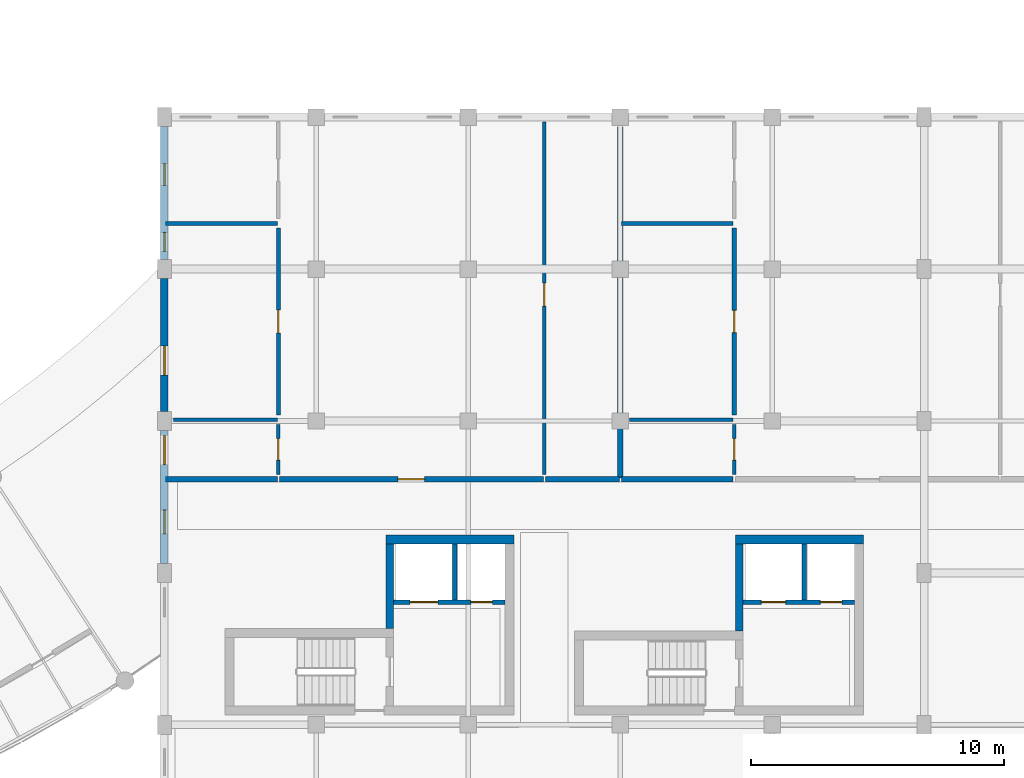
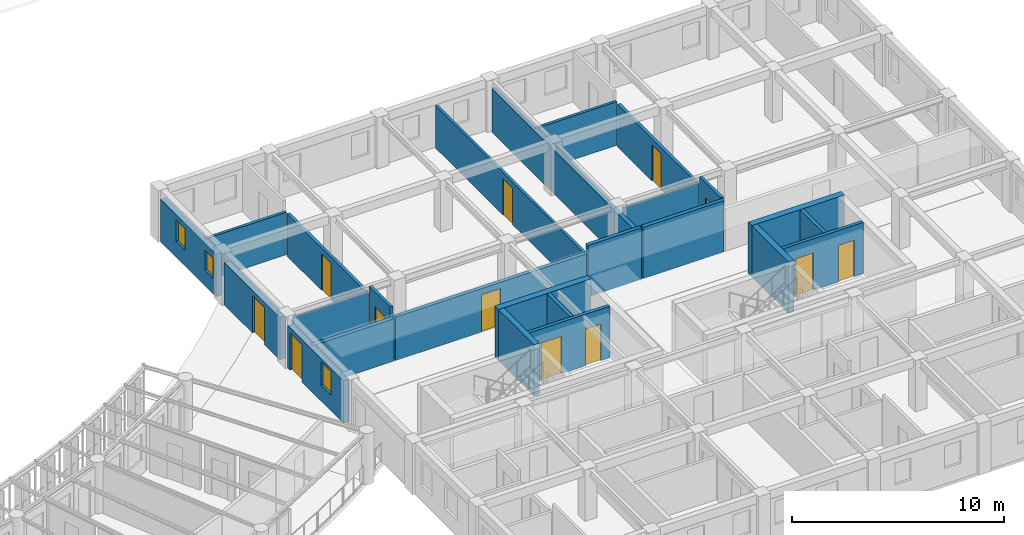
# One storey, part 65 of 100: 25 walls, 12 doors, 3 windows, 15 openings.
"""IFC4 building model written with IfcOpenShell, lengths in metres."""

from ifc_helpers import new_model, si_unit, direction, frame, frame_2d, origin, place, context, subcontext, project, spatial, rectangle, extrude, material, layer, layer_set, type_object, element, fill, save


model = new_model("IFC4")

# Units and contexts
model_context = context("Model", 3, precision=1e-05, world=origin(), true_north=direction((0.0, 1.0)))
body_context = subcontext(model_context, "Body", "Model", "MODEL_VIEW")
ifc_project = project(units=[si_unit("LENGTHUNIT", "METRE"), si_unit("AREAUNIT", "SQUARE_METRE"), si_unit("VOLUMEUNIT", "CUBIC_METRE"), si_unit("PLANEANGLEUNIT", "RADIAN"), si_unit("MASSUNIT", "GRAM", prefix="KILO"), si_unit("POWERUNIT", "WATT"), si_unit("THERMODYNAMICTEMPERATUREUNIT", "KELVIN")], contexts=[model_context])

# Site, building, storey
site_placement = place(None, origin())
site = spatial("IfcSite", under=ifc_project, at=site_placement, CompositionType="ELEMENT")
building_placement = place(site_placement, origin())
building = spatial("IfcBuilding", under=site, at=building_placement, Name="Ruvembo Vaulted Housing Court", CompositionType="ELEMENT")
storey_placement = place(building_placement, frame((0.0, 0.0, 10.89990234375)))
storey = spatial("IfcBuildingStorey", under=building, at=storey_placement, Name="L03", CompositionType="ELEMENT", Elevation=10.89990234375)

# Walls
ifc_material_1 = material(Name="Concrete C35/45", Category="concrete")
ifc_layer_1 = layer(ifc_material_1, 0.300048828125, Name="Concrete C35/45")
ifc_layer_set_1 = layer_set([ifc_layer_1], Name="Concrete C35/45")
wall_type_1 = type_object("IfcWallType", Name="WL-CORE-300", PredefinedType="SHEAR", material=ifc_layer_set_1)
wall_1_placement = place(storey_placement, frame((110.89990234375, 15.800048828125, 0.0), z_axis=(0.0, 0.0, 1.0), x_axis=(0.0, 1.0, 0.0)))
element("IfcWall", 1, at=wall_1_placement, inside=storey, type_object=wall_type_1, Name="Core C1 L03 Upper West Shear Wall", PredefinedType="SHEAR", context=body_context, shape_type="SweptSolid", body=[
    extrude(rectangle(XDim=3.349853515625, YDim=0.300048828125, at=frame_2d((1.6748046875, 0.0))), origin(), (0.0, 0.0, 1.0), 2.960205078125),
])
wall_2_placement = place(storey_placement, frame((124.699951171875, 15.699951171875, 0.0), z_axis=(0.0, 0.0, 1.0), x_axis=(0.0, 1.0, 0.0)))
element("IfcWall", 2, at=wall_2_placement, inside=storey, type_object=wall_type_1, Name="Core C2 L03 Upper West Shear Wall", PredefinedType="SHEAR", context=body_context, shape_type="SweptSolid", body=[
    extrude(rectangle(XDim=3.449951171875, YDim=0.300048828125, at=frame_2d((1.72509765625, 0.0))), origin(), (0.0, 0.0, 1.0), 2.960205078125),
])
ifc_layer_2 = layer(ifc_material_1, 0.35009765625, Name="Concrete C35/45")
ifc_layer_set_2 = layer_set([ifc_layer_2], Name="Concrete C35/45")
wall_type_2 = type_object("IfcWallType", Name="WL-CORE-350", PredefinedType="SHEAR", material=ifc_layer_set_2)
for number, where, z_axis, x_axis, name in (
    (3, (115.800048828125, 19.324951171875, 0.0), (0.0, 0.0, 1.0), (-1.0, 0.0, 0.0), "Core C1 L03 North Shear Wall"),
    (4, (129.60009765625, 19.324951171875, 0.0), (0.0, 0.0, 1.0), (-1.0, 0.0, 0.0), "Core C2 L03 North Shear Wall"),
):
    element("IfcWall", number, at=place(storey_placement, frame(where, z_axis=z_axis, x_axis=x_axis)), inside=storey, type_object=wall_type_2, Name=name, PredefinedType="SHEAR", context=body_context, shape_type="SweptSolid", body=[
        extrude(rectangle(XDim=5.050048828125, YDim=0.35009765625, at=frame_2d((2.52490234375, 0.0))), origin(), (0.0, 0.0, 1.0), 2.960205078125),
    ])
ifc_material_2 = material(Name="Concrete Blockwork 200", Category="masonry")
ifc_layer_3 = layer(ifc_material_2, 0.199951171875, Name="Concrete Blockwork 200")
ifc_layer_set_3 = layer_set([ifc_layer_3], Name="Concrete Blockwork 200")
wall_type_3 = type_object("IfcWallType", Name="WL-CORR-200", PredefinedType="SOLIDWALL", material=ifc_layer_set_3)
wall_3_placement = place(storey_placement, frame((102.0400390625, 21.699951171875, 0.0), z_axis=(0.0, 0.0, 1.0), x_axis=(1.0, 0.0, 0.0)))
element("IfcWall", 5, at=wall_3_placement, inside=storey, type_object=wall_type_3, Name="L03 Flat C-L03-N1 Corridor Wall WL-INT-L03-00907", PredefinedType="SOLIDWALL", context=body_context, shape_type="SweptSolid", body=[
    extrude(rectangle(XDim=4.419921875, YDim=0.199951171875, at=frame_2d((2.2099609375, 0.0))), origin(), (0.0, 0.0, 1.0), 2.442138671875),
])

# Wall, opening, door
wall_4_placement = place(storey_placement, frame((106.5400390625, 21.699951171875, 0.0), z_axis=(0.0, 0.0, 1.0), x_axis=(1.0, 0.0, 0.0)))
wall_4 = element("IfcWall", 6, at=wall_4_placement, inside=storey, type_object=wall_type_3, Name="L03 Flat C-L03-N1 Entrance WL-INT-L03-00908", PredefinedType="SOLIDWALL", context=body_context, shape_type="SweptSolid", body=[
    extrude(rectangle(XDim=10.419921875, YDim=0.199951171875, at=frame_2d((5.2099609375, 0.0))), origin(), (0.0, 0.0, 1.0), 2.508056640625),
])
opening_1_placement = place(wall_4_placement, frame((4.68505859375, 0.0, 0.0)))
opening_1 = element("IfcOpeningElement", 7, at=opening_1_placement, cuts=wall_4, Name="Opening FD3", PredefinedType="OPENING", context=body_context, shape_type="SweptSolid", body=[
    extrude(rectangle(XDim=1.050048828125, YDim=2.14990234375, at=frame_2d((0.52490234375, 1.074951171875))), frame((0.0, 0.10986328125, 0.0), z_axis=(0.0, -1.0, 0.0), x_axis=(1.0, 0.0, 0.0)), (0.0, 0.0, 1.0), 0.219970703125),
])
ifc_material_3 = material(Name="FSC Hardwood and Engineered Timber", Category="wood")
door_type_1 = type_object("IfcDoorType", Name="DR-FLAT-1050x2150", OperationType="NOTDEFINED", PredefinedType="DOOR", material=ifc_material_3)
door_1_placement = place(opening_1_placement, origin())
door_1 = element("IfcDoor", 8, at=door_1_placement, inside=storey, type_object=door_type_1, Name="L03 Flat C-L03-N1 Entrance Door DR-INT-L03-00500", OperationType="SINGLE_SWING_RIGHT", OverallHeight=2.14990234375, OverallWidth=1.050048828125, PredefinedType="DOOR", context=body_context, shape_type="SweptSolid", body=[
    extrude(rectangle(XDim=1.050048828125, YDim=2.14990234375, at=frame_2d((0.52490234375, 1.074951171875))), frame((0.0, 0.02490234375, 0.0), z_axis=(0.0, -1.0, 0.0), x_axis=(1.0, 0.0, 0.0)), (0.0, 0.0, 1.0), 0.050048828125),
])
fill(opening_1, door_1)

# Walls
wall_5_placement = place(storey_placement, frame((117.0400390625, 21.699951171875, 0.0), z_axis=(0.0, 0.0, 1.0), x_axis=(1.0, 0.0, 0.0)))
element("IfcWall", 9, at=wall_5_placement, inside=storey, type_object=wall_type_3, Name="L03 Flat C-L03-N1 Corridor Wall 2 WL-INT-L03-00914", PredefinedType="SOLIDWALL", context=body_context, shape_type="SweptSolid", body=[
    extrude(rectangle(XDim=2.919921875, YDim=0.199951171875, at=frame_2d((1.4599609375, 0.0))), origin(), (0.0, 0.0, 1.0), 2.960205078125),
])
wall_6_placement = place(storey_placement, frame((120.0400390625, 21.699951171875, 0.0), z_axis=(0.0, 0.0, 1.0), x_axis=(1.0, 0.0, 0.0)))
element("IfcWall", 10, at=wall_6_placement, inside=storey, type_object=wall_type_3, Name="L03 Flat C-L03-N2 Corridor Wall WL-INT-L03-00916", PredefinedType="SOLIDWALL", context=body_context, shape_type="SweptSolid", body=[
    extrude(rectangle(XDim=4.419921875, YDim=0.199951171875, at=frame_2d((2.2099609375, 0.0))), origin(), (0.0, 0.0, 1.0), 2.960205078125),
])
ifc_material_4 = material(Name="Acoustic Masonry Demising 230", Category="masonry")
ifc_layer_4 = layer(ifc_material_4, 0.22998046875, Name="Acoustic Masonry Demising 230")
ifc_layer_set_4 = layer_set([ifc_layer_4], Name="Acoustic Masonry Demising 230")
wall_type_4 = type_object("IfcWallType", Name="WL-DEM-230", PredefinedType="SOLIDWALL", material=ifc_layer_set_4)
wall_7_placement = place(storey_placement, frame((120.0, 21.739990234375, 0.0), z_axis=(0.0, 0.0, 1.0), x_axis=(0.0, 1.0, 0.0)))
element("IfcWall", 11, at=wall_7_placement, inside=storey, type_object=wall_type_4, Name="L03 Demising C-L03-N1 WL-INT-L03-00906", PredefinedType="SOLIDWALL", context=body_context, shape_type="SweptSolid", body=[
    extrude(rectangle(XDim=13.8701171875, YDim=0.22998046875, at=frame_2d((6.93505859375, 0.0))), origin(), (0.0, 0.0, 1.0), 2.508056640625),
])

# Wall, openings, windows
ifc_material_5 = material(Name="Rendered Masonry 300", Category="masonry")
ifc_layer_5 = layer(ifc_material_5, 0.300048828125, Name="Rendered Masonry 300")
ifc_layer_set_5 = layer_set([ifc_layer_5], Name="Rendered Masonry 300")
wall_type_5 = type_object("IfcWallType", Name="WL-EXT-300", PredefinedType="STANDARD", material=ifc_layer_set_5)
wall_8_placement = place(storey_placement, frame((102.0, 35.625, 0.0), z_axis=(0.0, 0.0, 1.0), x_axis=(0.0, -1.0, 0.0)))
wall_8 = element("IfcWall", 12, at=wall_8_placement, inside=storey, type_object=wall_type_5, Name="Block C L03 Exterior Wall WEST #1", PredefinedType="STANDARD", context=body_context, shape_type="SweptSolid", body=[
    extrude(rectangle(XDim=5.25, YDim=0.300048828125, at=frame_2d((2.625, 0.0))), origin(), (0.0, 0.0, 1.0), 2.442138671875),
])
opening_2_placement = place(wall_8_placement, frame((1.467529296875, 0.0, 0.89990234375)))
opening_2 = element("IfcOpeningElement", 13, at=opening_2_placement, cuts=wall_8, Name="Opening W03", PredefinedType="OPENING", context=body_context, shape_type="SweptSolid", body=[
    extrude(rectangle(XDim=0.85009765625, YDim=1.25, at=frame_2d((0.425048828125, 0.625))), frame((0.0, 0.159912109375, 0.0), z_axis=(0.0, -1.0, 0.0), x_axis=(1.0, 0.0, 0.0)), (0.0, 0.0, 1.0), 0.320068359375),
])
opening_3_placement = place(wall_8_placement, frame((4.1826171875, 0.0, 0.89990234375)))
opening_3 = element("IfcOpeningElement", 14, at=opening_3_placement, cuts=wall_8, Name="Opening W01", PredefinedType="OPENING", context=body_context, shape_type="SweptSolid", body=[
    extrude(rectangle(XDim=0.75, YDim=1.14990234375, at=frame_2d((0.375, 0.574951171875))), frame((0.0, 0.159912109375, 0.0), z_axis=(0.0, -1.0, 0.0), x_axis=(1.0, 0.0, 0.0)), (0.0, 0.0, 1.0), 0.320068359375),
])
ifc_material_6 = material(Name="Double Solar-Control Glazing in Aluminium Frame", Category="aluminium")
window_type_1 = type_object("IfcWindowType", Name="WIN-0750x1150", PartitioningType="SINGLE_PANEL", PredefinedType="WINDOW", material=ifc_material_6)
window_1_placement = place(opening_3_placement, origin())
window_1 = element("IfcWindow", 15, at=window_1_placement, inside=storey, type_object=window_type_1, Name="Block C L03 Window #1232", OverallHeight=1.14990234375, OverallWidth=0.75, PartitioningType="SINGLE_PANEL", PredefinedType="WINDOW", context=body_context, shape_type="SweptSolid", body=[
    extrude(rectangle(XDim=0.75, YDim=1.14990234375, at=frame_2d((0.375, 0.574951171875))), frame((0.0, 0.030029296875, 0.0), z_axis=(0.0, -1.0, 0.0), x_axis=(1.0, 0.0, 0.0)), (0.0, 0.0, 1.0), 0.06005859375),
])
fill(opening_3, window_1)
window_type_2 = type_object("IfcWindowType", Name="WIN-0850x1250", PartitioningType="SINGLE_PANEL", PredefinedType="WINDOW", material=ifc_material_6)
window_2_placement = place(opening_2_placement, origin())
window_2 = element("IfcWindow", 16, at=window_2_placement, inside=storey, type_object=window_type_2, Name="Block C L03 Window #1231", OverallHeight=1.25, OverallWidth=0.85009765625, PartitioningType="SINGLE_PANEL", PredefinedType="WINDOW", context=body_context, shape_type="SweptSolid", body=[
    extrude(rectangle(XDim=0.85009765625, YDim=1.25, at=frame_2d((0.425048828125, 0.625))), frame((0.0, 0.030029296875, 0.0), z_axis=(0.0, -1.0, 0.0), x_axis=(1.0, 0.0, 0.0)), (0.0, 0.0, 1.0), 0.06005859375),
])
fill(opening_2, window_2)

# Wall, opening, door
wall_9_placement = place(storey_placement, frame((102.0, 29.625, 0.0), z_axis=(0.0, 0.0, 1.0), x_axis=(0.0, -1.0, 0.0)))
wall_9 = element("IfcWall", 17, at=wall_9_placement, inside=storey, type_object=wall_type_5, Name="Block C L03 Exterior Wall WEST #2", PredefinedType="STANDARD", context=body_context, shape_type="SweptSolid", body=[
    extrude(rectangle(XDim=5.25, YDim=0.300048828125, at=frame_2d((2.625, 0.0))), origin(), (0.0, 0.0, 1.0), 2.442138671875),
])
opening_4_placement = place(wall_9_placement, frame((2.666748046875, 0.0, 0.0)))
opening_4 = element("IfcOpeningElement", 18, at=opening_4_placement, cuts=wall_9, Name="Opening GD1", PredefinedType="OPENING", context=body_context, shape_type="SweptSolid", body=[
    extrude(rectangle(XDim=1.14990234375, YDim=2.14990234375, at=frame_2d((0.574951171875, 1.074951171875))), frame((0.0, 0.159912109375, 0.0), z_axis=(0.0, -1.0, 0.0), x_axis=(1.0, 0.0, 0.0)), (0.0, 0.0, 1.0), 0.320068359375),
])
ifc_material_7 = material(Name="Thermally Broken Glazed Aluminium", Category="aluminium")
door_type_2 = type_object("IfcDoorType", Name="DR-GAL-1150x2150", OperationType="NOTDEFINED", PredefinedType="DOOR", material=ifc_material_7)
door_2_placement = place(opening_4_placement, frame((1.14990234375, 0.0, 0.0), z_axis=(0.0, 0.0, 1.0), x_axis=(-1.0, 0.0, 0.0)))
door_2 = element("IfcDoor", 19, at=door_2_placement, inside=storey, type_object=door_type_2, Name="Block C L03 Terrace or Gallery Door DR-TER-C-L03-056", OperationType="SINGLE_SWING_LEFT", OverallHeight=2.14990234375, OverallWidth=1.14990234375, PredefinedType="DOOR", context=body_context, shape_type="SweptSolid", body=[
    extrude(rectangle(XDim=1.14990234375, YDim=2.14990234375, at=frame_2d((0.574951171875, 1.074951171875))), frame((0.0, 0.02490234375, 0.0), z_axis=(0.0, -1.0, 0.0), x_axis=(1.0, 0.0, 0.0)), (0.0, 0.0, 1.0), 0.050048828125),
])
fill(opening_4, door_2)

# Wall, openings, door, window
wall_10_placement = place(storey_placement, frame((102.0, 23.625, 0.0), z_axis=(0.0, 0.0, 1.0), x_axis=(0.0, -1.0, 0.0)))
wall_10 = element("IfcWall", 20, at=wall_10_placement, inside=storey, type_object=wall_type_5, Name="Block C L03 Exterior Wall WEST #3", PredefinedType="STANDARD", context=body_context, shape_type="SweptSolid", body=[
    extrude(rectangle(XDim=5.25, YDim=0.300048828125, at=frame_2d((2.625, 0.0))), origin(), (0.0, 0.0, 1.0), 2.442138671875),
])
opening_5_placement = place(wall_10_placement, frame((0.199951171875, 0.0, 0.0)))
opening_5 = element("IfcOpeningElement", 21, at=opening_5_placement, cuts=wall_10, Name="Opening GD1", PredefinedType="OPENING", context=body_context, shape_type="SweptSolid", body=[
    extrude(rectangle(XDim=1.14990234375, YDim=2.14990234375, at=frame_2d((0.574951171875, 1.074951171875))), frame((0.0, 0.159912109375, 0.0), z_axis=(0.0, -1.0, 0.0), x_axis=(1.0, 0.0, 0.0)), (0.0, 0.0, 1.0), 0.320068359375),
])
opening_6_placement = place(wall_10_placement, frame((3.132568359375, 0.0, 0.89990234375)))
opening_6 = element("IfcOpeningElement", 22, at=opening_6_placement, cuts=wall_10, Name="Opening W07", PredefinedType="OPENING", context=body_context, shape_type="SweptSolid", body=[
    extrude(rectangle(XDim=0.949951171875, YDim=1.35009765625, at=frame_2d((0.47509765625, 0.675048828125))), frame((0.0, 0.159912109375, 0.0), z_axis=(0.0, -1.0, 0.0), x_axis=(1.0, 0.0, 0.0)), (0.0, 0.0, 1.0), 0.320068359375),
])
door_3_placement = place(opening_5_placement, frame((1.14990234375, 0.0, 0.0), z_axis=(0.0, 0.0, 1.0), x_axis=(-1.0, 0.0, 0.0)))
door_3 = element("IfcDoor", 23, at=door_3_placement, inside=storey, type_object=door_type_2, Name="Block C L03 Terrace or Gallery Door DR-TER-C-L03-057", OperationType="SINGLE_SWING_RIGHT", OverallHeight=2.14990234375, OverallWidth=1.14990234375, PredefinedType="DOOR", context=body_context, shape_type="SweptSolid", body=[
    extrude(rectangle(XDim=1.14990234375, YDim=2.14990234375, at=frame_2d((0.574951171875, 1.074951171875))), frame((0.0, 0.02490234375, 0.0), z_axis=(0.0, -1.0, 0.0), x_axis=(1.0, 0.0, 0.0)), (0.0, 0.0, 1.0), 0.050048828125),
])
fill(opening_5, door_3)
window_type_3 = type_object("IfcWindowType", Name="WIN-0950x1350", PartitioningType="SINGLE_PANEL", PredefinedType="WINDOW", material=ifc_material_6)
window_3_placement = place(opening_6_placement, origin())
window_3 = element("IfcWindow", 24, at=window_3_placement, inside=storey, type_object=window_type_3, Name="Block C L03 Window #1233", OverallHeight=1.35009765625, OverallWidth=0.949951171875, PartitioningType="SINGLE_PANEL", PredefinedType="WINDOW", context=body_context, shape_type="SweptSolid", body=[
    extrude(rectangle(XDim=0.949951171875, YDim=1.35009765625, at=frame_2d((0.47509765625, 0.675048828125))), frame((0.0, 0.030029296875, 0.0), z_axis=(0.0, -1.0, 0.0), x_axis=(1.0, 0.0, 0.0)), (0.0, 0.0, 1.0), 0.06005859375),
])
fill(opening_6, window_3)

# Wall, opening, door
ifc_material_8 = material(Name="Acoustic Stud Partition 135", Category="gypsum")
ifc_layer_6 = layer(ifc_material_8, 0.135009765625, Name="Acoustic Stud Partition 135")
ifc_layer_set_6 = layer_set([ifc_layer_6], Name="Acoustic Stud Partition 135")
wall_type_6 = type_object("IfcWallType", Name="WL-PART-135", PredefinedType="PARTITIONING", material=ifc_layer_set_6)
wall_11_placement = place(storey_placement, frame((117.0, 21.889892578125, 0.0), z_axis=(0.0, 0.0, 1.0), x_axis=(0.0, 1.0, 0.0)))
wall_11 = element("IfcWall", 25, at=wall_11_placement, inside=storey, type_object=wall_type_6, Name="L03 Flat C-L03-N1 Bedroom 2 WL-INT-L03-00915", PredefinedType="PARTITIONING", context=body_context, shape_type="SweptSolid", body=[
    extrude(rectangle(XDim=13.920166015625, YDim=0.135009765625, at=frame_2d((6.9599609375, 0.0))), origin(), (0.0, 0.0, 1.0), 2.442138671875),
])
opening_7_placement = place(wall_11_placement, frame((6.64990234375, 0.0, 0.0)))
opening_7 = element("IfcOpeningElement", 26, at=opening_7_placement, cuts=wall_11, Name="Opening ID1", PredefinedType="OPENING", context=body_context, shape_type="SweptSolid", body=[
    extrude(rectangle(XDim=0.89990234375, YDim=2.10009765625, at=frame_2d((0.449951171875, 1.050048828125))), frame((0.0, 0.077392578125, 0.0), z_axis=(0.0, -1.0, 0.0), x_axis=(1.0, 0.0, 0.0)), (0.0, 0.0, 1.0), 0.155029296875),
])
door_type_3 = type_object("IfcDoorType", Name="DR-ROOM-0900x2100", OperationType="NOTDEFINED", PredefinedType="DOOR", material=ifc_material_3)
door_4_placement = place(opening_7_placement, origin())
door_4 = element("IfcDoor", 27, at=door_4_placement, inside=storey, type_object=door_type_3, Name="L03 Flat C-L03-N1 Bedroom 2 Door DR-INT-L03-00504", OperationType="SINGLE_SWING_RIGHT", OverallHeight=2.10009765625, OverallWidth=0.89990234375, PredefinedType="DOOR", context=body_context, shape_type="SweptSolid", body=[
    extrude(rectangle(XDim=0.89990234375, YDim=2.10009765625, at=frame_2d((0.449951171875, 1.050048828125))), frame((0.0, 0.02490234375, 0.0), z_axis=(0.0, -1.0, 0.0), x_axis=(1.0, 0.0, 0.0)), (0.0, 0.0, 1.0), 0.050048828125),
])
fill(opening_7, door_4)

ifc_material_9 = material(Name="Moisture-Resistant Wet Partition 150", Category="gypsum")
ifc_layer_7 = layer(ifc_material_9, 0.14990234375, Name="Moisture-Resistant Wet Partition 150")
ifc_layer_set_7 = layer_set([ifc_layer_7], Name="Moisture-Resistant Wet Partition 150")
wall_type_7 = type_object("IfcWallType", Name="WL-PART-150", PredefinedType="PARTITIONING", material=ifc_layer_set_7)
wall_12_placement = place(storey_placement, frame((106.5, 21.889892578125, 0.0), z_axis=(0.0, 0.0, 1.0), x_axis=(0.0, 1.0, 0.0)))
wall_12 = element("IfcWall", 28, at=wall_12_placement, inside=storey, type_object=wall_type_7, Name="L03 Flat C-L03-N1 Bathroom WL-INT-L03-00911", PredefinedType="PARTITIONING", context=body_context, shape_type="SweptSolid", body=[
    extrude(rectangle(XDim=1.97021484375, YDim=0.14990234375, at=frame_2d((0.985107421875, 0.0))), origin(), (0.0, 0.0, 1.0), 2.960205078125),
])
opening_8_placement = place(wall_12_placement, frame((0.56005859375, 0.0, 0.0)))
opening_8 = element("IfcOpeningElement", 29, at=opening_8_placement, cuts=wall_12, Name="Opening ID2", PredefinedType="OPENING", context=body_context, shape_type="SweptSolid", body=[
    extrude(rectangle(XDim=0.85009765625, YDim=2.10009765625, at=frame_2d((0.425048828125, 1.050048828125))), frame((0.0, 0.0849609375, 0.0), z_axis=(0.0, -1.0, 0.0), x_axis=(1.0, 0.0, 0.0)), (0.0, 0.0, 1.0), 0.169921875),
])
door_type_4 = type_object("IfcDoorType", Name="DR-WET-0850x2100", OperationType="NOTDEFINED", PredefinedType="DOOR", material=ifc_material_3)
door_5_placement = place(opening_8_placement, origin())
door_5 = element("IfcDoor", 30, at=door_5_placement, inside=storey, type_object=door_type_4, Name="L03 Flat C-L03-N1 Bathroom Door DR-INT-L03-00503", OperationType="SINGLE_SWING_LEFT", OverallHeight=2.10009765625, OverallWidth=0.85009765625, PredefinedType="DOOR", context=body_context, shape_type="SweptSolid", body=[
    extrude(rectangle(XDim=0.85009765625, YDim=2.10009765625, at=frame_2d((0.425048828125, 1.050048828125))), frame((0.0, 0.02490234375, 0.0), z_axis=(0.0, -1.0, 0.0), x_axis=(1.0, 0.0, 0.0)), (0.0, 0.0, 1.0), 0.050048828125),
])
fill(opening_8, door_5)

# Walls
wall_13_placement = place(storey_placement, frame((102.0400390625, 31.800048828125, 0.0), z_axis=(0.0, 0.0, 1.0), x_axis=(1.0, 0.0, 0.0)))
element("IfcWall", 31, at=wall_13_placement, inside=storey, type_object=wall_type_7, Name="L03 Flat C-L03-N1 Wet Wall 1 WL-INT-L03-00912", PredefinedType="PARTITIONING", context=body_context, shape_type="SweptSolid", body=[
    extrude(rectangle(XDim=4.419921875, YDim=0.14990234375, at=frame_2d((2.2099609375, 0.0))), origin(), (0.0, 0.0, 1.0), 2.442138671875),
])
wall_14_placement = place(storey_placement, frame((102.360107421875, 24.050048828125, 0.0), z_axis=(0.0, 0.0, 1.0), x_axis=(1.0, 0.0, 0.0)))
element("IfcWall", 32, at=wall_14_placement, inside=storey, type_object=wall_type_7, Name="L03 Flat C-L03-N1 Wet Wall 2 WL-INT-L03-00913", PredefinedType="PARTITIONING", context=body_context, shape_type="SweptSolid", body=[
    extrude(rectangle(XDim=4.099853515625, YDim=0.14990234375, at=frame_2d((2.0498046875, 0.0))), origin(), (0.0, 0.0, 1.0), 2.508056640625),
])

# Wall, opening, door
wall_15_placement = place(storey_placement, frame((124.5, 21.889892578125, 0.0), z_axis=(0.0, 0.0, 1.0), x_axis=(0.0, 1.0, 0.0)))
wall_15 = element("IfcWall", 33, at=wall_15_placement, inside=storey, type_object=wall_type_7, Name="L03 Flat C-L03-N2 Bathroom WL-INT-L03-00920", PredefinedType="PARTITIONING", context=body_context, shape_type="SweptSolid", body=[
    extrude(rectangle(XDim=1.97021484375, YDim=0.14990234375, at=frame_2d((0.985107421875, 0.0))), origin(), (0.0, 0.0, 1.0), 2.960205078125),
])
opening_9_placement = place(wall_15_placement, frame((0.56005859375, 0.0, 0.0)))
opening_9 = element("IfcOpeningElement", 34, at=opening_9_placement, cuts=wall_15, Name="Opening ID2", PredefinedType="OPENING", context=body_context, shape_type="SweptSolid", body=[
    extrude(rectangle(XDim=0.85009765625, YDim=2.10009765625, at=frame_2d((0.425048828125, 1.050048828125))), frame((0.0, 0.0849609375, 0.0), z_axis=(0.0, -1.0, 0.0), x_axis=(1.0, 0.0, 0.0)), (0.0, 0.0, 1.0), 0.169921875),
])
door_6_placement = place(opening_9_placement, origin())
door_6 = element("IfcDoor", 35, at=door_6_placement, inside=storey, type_object=door_type_4, Name="L03 Flat C-L03-N2 Bathroom Door DR-INT-L03-00508", OperationType="SINGLE_SWING_RIGHT", OverallHeight=2.10009765625, OverallWidth=0.85009765625, PredefinedType="DOOR", context=body_context, shape_type="SweptSolid", body=[
    extrude(rectangle(XDim=0.85009765625, YDim=2.10009765625, at=frame_2d((0.425048828125, 1.050048828125))), frame((0.0, 0.02490234375, 0.0), z_axis=(0.0, -1.0, 0.0), x_axis=(1.0, 0.0, 0.0)), (0.0, 0.0, 1.0), 0.050048828125),
])
fill(opening_9, door_6)

# Walls
wall_16_placement = place(storey_placement, frame((120.0400390625, 31.800048828125, 0.0), z_axis=(0.0, 0.0, 1.0), x_axis=(1.0, 0.0, 0.0)))
element("IfcWall", 36, at=wall_16_placement, inside=storey, type_object=wall_type_7, Name="L03 Flat C-L03-N2 Wet Wall 1 WL-INT-L03-00921", PredefinedType="PARTITIONING", context=body_context, shape_type="SweptSolid", body=[
    extrude(rectangle(XDim=4.419921875, YDim=0.14990234375, at=frame_2d((2.2099609375, 0.0))), origin(), (0.0, 0.0, 1.0), 2.508056640625),
])
wall_17_placement = place(storey_placement, frame((120.360107421875, 24.050048828125, 0.0), z_axis=(0.0, 0.0, 1.0), x_axis=(1.0, 0.0, 0.0)))
element("IfcWall", 37, at=wall_17_placement, inside=storey, type_object=wall_type_7, Name="L03 Flat C-L03-N2 Wet Wall 2 WL-INT-L03-00922", PredefinedType="PARTITIONING", context=body_context, shape_type="SweptSolid", body=[
    extrude(rectangle(XDim=4.099853515625, YDim=0.14990234375, at=frame_2d((2.0498046875, 0.0))), origin(), (0.0, 0.0, 1.0), 2.508056640625),
])

# Wall, opening, door
ifc_material_10 = material(Name="Acoustic Service Chase Wall 160", Category="gypsum")
ifc_layer_8 = layer(ifc_material_10, 0.159912109375, Name="Acoustic Service Chase Wall 160")
ifc_layer_set_8 = layer_set([ifc_layer_8], Name="Acoustic Service Chase Wall 160")
wall_type_8 = type_object("IfcWallType", Name="WL-PLUMB-160", PredefinedType="PLUMBINGWALL", material=ifc_layer_set_8)
wall_18_placement = place(storey_placement, frame((106.5, 24.239990234375, 0.0), z_axis=(0.0, 0.0, 1.0), x_axis=(0.0, 1.0, 0.0)))
wall_18 = element("IfcWall", 38, at=wall_18_placement, inside=storey, type_object=wall_type_8, Name="L03 Flat C-L03-N1 Kitchen WL-INT-L03-00910", PredefinedType="PLUMBINGWALL", context=body_context, shape_type="SweptSolid", body=[
    extrude(rectangle(XDim=7.3701171875, YDim=0.159912109375, at=frame_2d((3.68505859375, 0.0))), origin(), (0.0, 0.0, 1.0), 2.442138671875),
])
opening_10_placement = place(wall_18_placement, frame((3.235107421875, 0.0, 0.0)))
opening_10 = element("IfcOpeningElement", 39, at=opening_10_placement, cuts=wall_18, Name="Opening ID1", PredefinedType="OPENING", context=body_context, shape_type="SweptSolid", body=[
    extrude(rectangle(XDim=0.89990234375, YDim=2.10009765625, at=frame_2d((0.449951171875, 1.050048828125))), frame((0.0, 0.08984375, 0.0), z_axis=(0.0, -1.0, 0.0), x_axis=(1.0, 0.0, 0.0)), (0.0, 0.0, 1.0), 0.179931640625),
])
door_7_placement = place(opening_10_placement, origin())
door_7 = element("IfcDoor", 40, at=door_7_placement, inside=storey, type_object=door_type_3, Name="L03 Flat C-L03-N1 Kitchen Door DR-INT-L03-00502", OperationType="SINGLE_SWING_RIGHT", OverallHeight=2.10009765625, OverallWidth=0.89990234375, PredefinedType="DOOR", context=body_context, shape_type="SweptSolid", body=[
    extrude(rectangle(XDim=0.89990234375, YDim=2.10009765625, at=frame_2d((0.449951171875, 1.050048828125))), frame((0.0, 0.02490234375, 0.0), z_axis=(0.0, -1.0, 0.0), x_axis=(1.0, 0.0, 0.0)), (0.0, 0.0, 1.0), 0.050048828125),
])
fill(opening_10, door_7)

wall_19_placement = place(storey_placement, frame((124.5, 24.239990234375, 0.0), z_axis=(0.0, 0.0, 1.0), x_axis=(0.0, 1.0, 0.0)))
wall_19 = element("IfcWall", 41, at=wall_19_placement, inside=storey, type_object=wall_type_8, Name="L03 Flat C-L03-N2 Kitchen WL-INT-L03-00919", PredefinedType="PLUMBINGWALL", context=body_context, shape_type="SweptSolid", body=[
    extrude(rectangle(XDim=7.3701171875, YDim=0.159912109375, at=frame_2d((3.68505859375, 0.0))), origin(), (0.0, 0.0, 1.0), 2.442138671875),
])
opening_11_placement = place(wall_19_placement, frame((3.2451171875, 0.0, 0.0)))
opening_11 = element("IfcOpeningElement", 42, at=opening_11_placement, cuts=wall_19, Name="Opening ID3", PredefinedType="OPENING", context=body_context, shape_type="SweptSolid", body=[
    extrude(rectangle(XDim=0.8798828125, YDim=2.10009765625, at=frame_2d((0.43994140625, 1.050048828125))), frame((0.0, 0.08984375, 0.0), z_axis=(0.0, -1.0, 0.0), x_axis=(1.0, 0.0, 0.0)), (0.0, 0.0, 1.0), 0.179931640625),
])
door_type_5 = type_object("IfcDoorType", Name="DR-ROOM-0880x2100", OperationType="NOTDEFINED", PredefinedType="DOOR", material=ifc_material_3)
door_8_placement = place(opening_11_placement, origin())
door_8 = element("IfcDoor", 43, at=door_8_placement, inside=storey, type_object=door_type_5, Name="L03 Flat C-L03-N2 Kitchen Door DR-INT-L03-00507", OperationType="SINGLE_SWING_LEFT", OverallHeight=2.10009765625, OverallWidth=0.8798828125, PredefinedType="DOOR", context=body_context, shape_type="SweptSolid", body=[
    extrude(rectangle(XDim=0.8798828125, YDim=2.10009765625, at=frame_2d((0.43994140625, 1.050048828125))), frame((0.0, 0.02490234375, 0.0), z_axis=(0.0, -1.0, 0.0), x_axis=(1.0, 0.0, 0.0)), (0.0, 0.0, 1.0), 0.050048828125),
])
fill(opening_11, door_8)

# Wall, openings, doors
ifc_material_11 = material(Name="Fire-Rated Masonry Shaft 180", Category="masonry")
ifc_layer_9 = layer(ifc_material_11, 0.179931640625, Name="Fire-Rated Masonry Shaft 180")
ifc_layer_set_9 = layer_set([ifc_layer_9], Name="Fire-Rated Masonry Shaft 180")
wall_type_9 = type_object("IfcWallType", Name="WL-SHAFT-180", PredefinedType="SOLIDWALL", material=ifc_layer_set_9)
wall_20_placement = place(storey_placement, frame((111.050048828125, 16.85009765625, 0.0), z_axis=(0.0, 0.0, 1.0), x_axis=(1.0, 0.0, 0.0)))
wall_20 = element("IfcWall", 44, at=wall_20_placement, inside=storey, type_object=wall_type_9, Name="Core C1 L03 Lift and Riser Front Wall", PredefinedType="SOLIDWALL", context=body_context, shape_type="SweptSolid", body=[
    extrude(rectangle(XDim=4.39990234375, YDim=0.179931640625, at=frame_2d((2.199951171875, 0.0))), origin(), (0.0, 0.0, 1.0), 2.960205078125),
])
opening_12_placement = place(wall_20_placement, frame((0.64990234375, 0.0, 0.0)))
opening_12 = element("IfcOpeningElement", 45, at=opening_12_placement, cuts=wall_20, Name="Opening LD-LP-C1-L03", PredefinedType="OPENING", context=body_context, shape_type="SweptSolid", body=[
    extrude(rectangle(XDim=1.10009765625, YDim=2.14990234375, at=frame_2d((0.550048828125, 1.074951171875))), frame((0.0, 0.099853515625, 0.0), z_axis=(0.0, -1.0, 0.0), x_axis=(1.0, 0.0, 0.0)), (0.0, 0.0, 1.0), 0.199951171875),
])
opening_13_placement = place(wall_20_placement, frame((3.050048828125, 0.0, 0.0)))
opening_13 = element("IfcOpeningElement", 46, at=opening_13_placement, cuts=wall_20, Name="Opening RD1", PredefinedType="OPENING", context=body_context, shape_type="SweptSolid", body=[
    extrude(rectangle(XDim=0.85009765625, YDim=2.10009765625, at=frame_2d((0.425048828125, 1.050048828125))), frame((0.0, 0.099853515625, 0.0), z_axis=(0.0, -1.0, 0.0), x_axis=(1.0, 0.0, 0.0)), (0.0, 0.0, 1.0), 0.199951171875),
])
ifc_material_12 = material(Name="Brushed Stainless Steel 304", Category="steel")
door_type_6 = type_object("IfcDoorType", Name="DR-LIFT-1100x2150", OperationType="NOTDEFINED", PredefinedType="DOOR", material=ifc_material_12)
door_9_placement = place(opening_12_placement, origin())
door_9 = element("IfcDoor", 47, at=door_9_placement, inside=storey, type_object=door_type_6, Name="Lift LP-C1 L03 Sliding Landing Door", OperationType="SLIDING_TO_LEFT", OverallHeight=2.14990234375, OverallWidth=1.10009765625, PredefinedType="DOOR", context=body_context, shape_type="SweptSolid", body=[
    extrude(rectangle(XDim=1.10009765625, YDim=2.14990234375, at=frame_2d((0.550048828125, 1.074951171875))), frame((0.0, 0.02490234375, 0.0), z_axis=(0.0, -1.0, 0.0), x_axis=(1.0, 0.0, 0.0)), (0.0, 0.0, 1.0), 0.050048828125),
])
fill(opening_12, door_9)
ifc_material_13 = material(Name="Galvanised Painted Steel", Category="steel")
door_type_7 = type_object("IfcDoorType", Name="DR-RISER-0850x2100", OperationType="NOTDEFINED", PredefinedType="DOOR", material=ifc_material_13)
door_10_placement = place(opening_13_placement, frame((0.85009765625, 0.0, 0.0), z_axis=(0.0, 0.0, 1.0), x_axis=(-1.0, 0.0, 0.0)))
door_10 = element("IfcDoor", 48, at=door_10_placement, inside=storey, type_object=door_type_7, Name="Core C1 L03 Service Riser Door", OperationType="SINGLE_SWING_LEFT", OverallHeight=2.10009765625, OverallWidth=0.85009765625, PredefinedType="DOOR", context=body_context, shape_type="SweptSolid", body=[
    extrude(rectangle(XDim=0.85009765625, YDim=2.10009765625, at=frame_2d((0.425048828125, 1.050048828125))), frame((0.0, 0.02490234375, 0.0), z_axis=(0.0, -1.0, 0.0), x_axis=(1.0, 0.0, 0.0)), (0.0, 0.0, 1.0), 0.050048828125),
])
fill(opening_13, door_10)

# Wall
wall_21_placement = place(storey_placement, frame((113.469970703125, 16.93994140625, 0.0), z_axis=(0.0, 0.0, 1.0), x_axis=(0.0, 1.0, 0.0)))
element("IfcWall", 49, at=wall_21_placement, inside=storey, type_object=wall_type_9, Name="Core C1 L03 Shaft-Riser Divider Wall", PredefinedType="SOLIDWALL", context=body_context, shape_type="SweptSolid", body=[
    extrude(rectangle(XDim=2.2099609375, YDim=0.179931640625, at=frame_2d((1.10498046875, 0.0))), origin(), (0.0, 0.0, 1.0), 2.960205078125),
])

# Wall, openings, doors
wall_22_placement = place(storey_placement, frame((124.85009765625, 16.85009765625, 0.0), z_axis=(0.0, 0.0, 1.0), x_axis=(1.0, 0.0, 0.0)))
wall_22 = element("IfcWall", 50, at=wall_22_placement, inside=storey, type_object=wall_type_9, Name="Core C2 L03 Lift and Riser Front Wall", PredefinedType="SOLIDWALL", context=body_context, shape_type="SweptSolid", body=[
    extrude(rectangle(XDim=4.39990234375, YDim=0.179931640625, at=frame_2d((2.199951171875, 0.0))), origin(), (0.0, 0.0, 1.0), 2.960205078125),
])
opening_14_placement = place(wall_22_placement, frame((0.72509765625, 0.0, 0.0)))
opening_14 = element("IfcOpeningElement", 51, at=opening_14_placement, cuts=wall_22, Name="Opening LD-LP-C2-L03", PredefinedType="OPENING", context=body_context, shape_type="SweptSolid", body=[
    extrude(rectangle(XDim=0.949951171875, YDim=2.14990234375, at=frame_2d((0.47509765625, 1.074951171875))), frame((0.0, 0.099853515625, 0.0), z_axis=(0.0, -1.0, 0.0), x_axis=(1.0, 0.0, 0.0)), (0.0, 0.0, 1.0), 0.199951171875),
])
opening_15_placement = place(wall_22_placement, frame((3.050048828125, 0.0, 0.0)))
opening_15 = element("IfcOpeningElement", 52, at=opening_15_placement, cuts=wall_22, Name="Opening RD1", PredefinedType="OPENING", context=body_context, shape_type="SweptSolid", body=[
    extrude(rectangle(XDim=0.85009765625, YDim=2.10009765625, at=frame_2d((0.425048828125, 1.050048828125))), frame((0.0, 0.099853515625, 0.0), z_axis=(0.0, -1.0, 0.0), x_axis=(1.0, 0.0, 0.0)), (0.0, 0.0, 1.0), 0.199951171875),
])
door_type_8 = type_object("IfcDoorType", Name="DR-LIFT-0950x2150", OperationType="NOTDEFINED", PredefinedType="DOOR", material=ifc_material_12)
door_11_placement = place(opening_14_placement, origin())
door_11 = element("IfcDoor", 53, at=door_11_placement, inside=storey, type_object=door_type_8, Name="Lift LP-C2 L03 Sliding Landing Door", OperationType="SLIDING_TO_LEFT", OverallHeight=2.14990234375, OverallWidth=0.949951171875, PredefinedType="DOOR", context=body_context, shape_type="SweptSolid", body=[
    extrude(rectangle(XDim=0.949951171875, YDim=2.14990234375, at=frame_2d((0.47509765625, 1.074951171875))), frame((0.0, 0.02490234375, 0.0), z_axis=(0.0, -1.0, 0.0), x_axis=(1.0, 0.0, 0.0)), (0.0, 0.0, 1.0), 0.050048828125),
])
fill(opening_14, door_11)
door_12_placement = place(opening_15_placement, frame((0.85009765625, 0.0, 0.0), z_axis=(0.0, 0.0, 1.0), x_axis=(-1.0, 0.0, 0.0)))
door_12 = element("IfcDoor", 54, at=door_12_placement, inside=storey, type_object=door_type_7, Name="Core C2 L03 Service Riser Door", OperationType="SINGLE_SWING_RIGHT", OverallHeight=2.10009765625, OverallWidth=0.85009765625, PredefinedType="DOOR", context=body_context, shape_type="SweptSolid", body=[
    extrude(rectangle(XDim=0.85009765625, YDim=2.10009765625, at=frame_2d((0.425048828125, 1.050048828125))), frame((0.0, 0.02490234375, 0.0), z_axis=(0.0, -1.0, 0.0), x_axis=(1.0, 0.0, 0.0)), (0.0, 0.0, 1.0), 0.050048828125),
])
fill(opening_15, door_12)

# Wall
wall_23_placement = place(storey_placement, frame((127.27001953125, 16.93994140625, 0.0), z_axis=(0.0, 0.0, 1.0), x_axis=(0.0, 1.0, 0.0)))
element("IfcWall", 55, at=wall_23_placement, inside=storey, type_object=wall_type_9, Name="Core C2 L03 Shaft-Riser Divider Wall", PredefinedType="SOLIDWALL", context=body_context, shape_type="SweptSolid", body=[
    extrude(rectangle(XDim=2.2099609375, YDim=0.179931640625, at=frame_2d((1.10498046875, 0.0))), origin(), (0.0, 0.0, 1.0), 2.960205078125),
])

save(model, "model.ifc")
